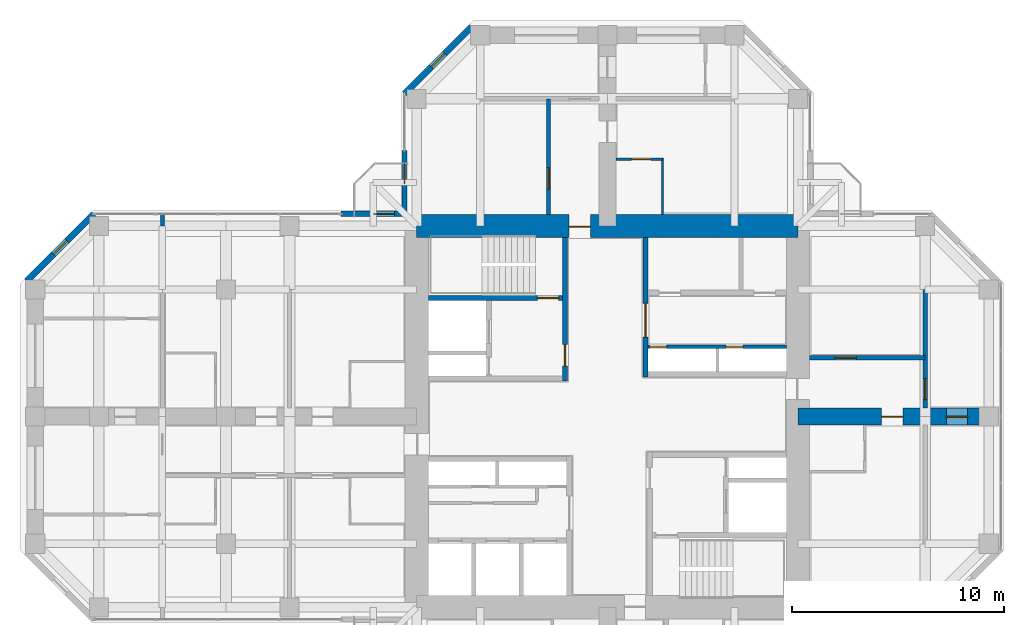
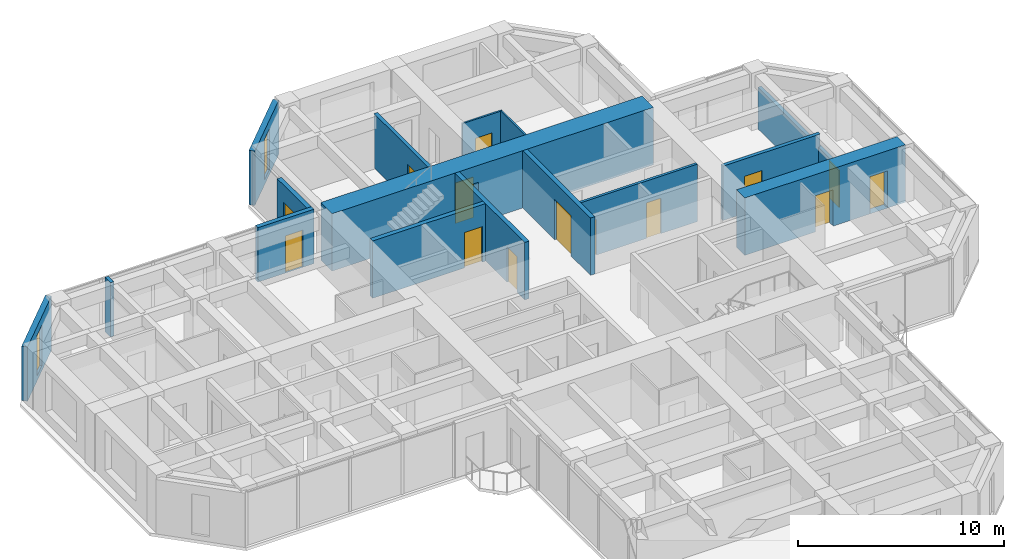
# One storey, part 11 of 13: 16 walls, 14 doors, 2 windows, 16 openings.
"""IFC4 building model written with IfcOpenShell, lengths in metres."""

import ifcopenshell
import ifcopenshell.guid

model = None  # the IFC model being written
_history = None  # IfcOwnerHistory: only IFC2X3 demands one
_inside = {}  # id of a spatial element -> (the spatial element, [elements in it])
_under = {}  # id of a project, library or spatial element -> (it, [spatial elements below it])
_declared = {}  # id of a project -> (the project, [libraries it declares])
_typed = {}  # id of a type object -> (the type object, [elements of that type])
_made_of = {}  # id of a material, layer set ... -> (it, [elements and type objects made of it])


def new_model(schema):
    """Start an empty IFC model of exactly this schema.

    Asked for "IFC4X3", IfcOpenShell would pick the latest addendum, in which some entities
    have other attributes; the version numbers below select the first issue.
    IFC2X3 requires an IfcOwnerHistory on every rooted entity: one is made here for all.
    """
    global model, _history
    if schema == "IFC4X3":
        model = ifcopenshell.file(schema_version=(4, 3, 0, 0))
    else:
        model = ifcopenshell.file(schema=schema)
    _inside.clear()
    _under.clear()
    _declared.clear()
    _typed.clear()
    _made_of.clear()
    _history = None
    if model.schema == "IFC2X3":
        org = make("IfcOrganization", Name="unknown")
        user = make(
            "IfcPersonAndOrganization",
            ThePerson=make("IfcPerson", FamilyName="unknown"),
            TheOrganization=org,
        )
        app = make(
            "IfcApplication",
            ApplicationDeveloper=org,
            Version="unknown",
            ApplicationFullName="unknown",
            ApplicationIdentifier="unknown",
        )
        _history = make(
            "IfcOwnerHistory",
            OwningUser=user,
            OwningApplication=app,
            ChangeAction="ADDED",
            CreationDate=0,
        )
    return model


def make(cls, **values):
    """One entity of the class cls with the attributes given. An attribute that is None is left unset."""
    return model.create_entity(
        cls, **{name: value for name, value in values.items() if value is not None}
    )


def rooted(cls, **values):
    """An entity with a GlobalId (a new one), such as an element, a storey or a relation."""
    return make(cls, GlobalId=ifcopenshell.guid.new(), OwnerHistory=_history, **values)


def si_unit(unit_type, name, prefix=None):
    """IfcSIUnit, for example si_unit("LENGTHUNIT", "METRE", prefix="MILLI")."""
    return make("IfcSIUnit", UnitType=unit_type, Prefix=prefix, Name=name)


def assignment(units):
    """IfcUnitAssignment: the units of a project."""
    return None if units is None else make("IfcUnitAssignment", Units=units)


def point(xyz):
    """IfcCartesianPoint."""
    return None if xyz is None else make("IfcCartesianPoint", Coordinates=xyz)


def direction(xyz):
    """IfcDirection."""
    return None if xyz is None else make("IfcDirection", DirectionRatios=xyz)


def frame(location, z_axis=None, x_axis=None):
    """IfcAxis2Placement3D, a coordinate frame: its origin and axes. An axis left out is left unset."""
    return make(
        "IfcAxis2Placement3D",
        Location=point(location),
        Axis=direction(z_axis),
        RefDirection=direction(x_axis),
    )


def frame_2d(location, x_axis=None):
    """IfcAxis2Placement2D, a coordinate frame in the plane: its origin and x axis."""
    return make(
        "IfcAxis2Placement2D", Location=point(location), RefDirection=direction(x_axis)
    )


def origin():
    """The frame at (0, 0, 0) with its axes left unset."""
    return frame((0.0, 0.0, 0.0))


def place(relative_to, where):
    """IfcLocalPlacement: puts the frame where relative to a parent placement (None: the world)."""
    return make(
        "IfcLocalPlacement", PlacementRelTo=relative_to, RelativePlacement=where
    )


def context(
    kind, dimensions, precision=None, world=None, true_north=None, identifier=None
):
    """IfcGeometricRepresentationContext, for example the 3D "Model" context."""
    return make(
        "IfcGeometricRepresentationContext",
        ContextIdentifier=identifier,
        ContextType=kind,
        CoordinateSpaceDimension=dimensions,
        Precision=precision,
        WorldCoordinateSystem=world,
        TrueNorth=true_north,
    )


def subcontext(parent, identifier, kind, view, scale=None):
    """IfcGeometricRepresentationSubContext, for example "Body" below "Model"."""
    return make(
        "IfcGeometricRepresentationSubContext",
        ContextIdentifier=identifier,
        ContextType=kind,
        ParentContext=parent,
        TargetScale=scale,
        TargetView=view,
    )


def project(units=None, contexts=None):
    """IfcProject with its units and contexts."""
    return rooted(
        "IfcProject",
        Name="project",
        RepresentationContexts=contexts,
        UnitsInContext=assignment(units),
    )


def spatial(cls, under=None, at=None, **own):
    """A site, building, storey or space (cls), placed at a placement, below another one or the project."""
    s = rooted(cls, ObjectPlacement=at, **own)
    if under is not None:
        _under.setdefault(under.id(), (under, []))[1].append(s)
    return s


def profile(cls, at=None, kind="AREA", **sizes):
    """A parametric profile (cls). Its sizes go by their IFC names, for example OverallWidth=200.0."""
    return make(cls, ProfileType=kind, Position=at, **sizes)


def rectangle(**sizes):
    """IfcRectangleProfileDef."""
    return profile("IfcRectangleProfileDef", **sizes)


def hollow_rectangle(**sizes):
    """IfcRectangleHollowProfileDef."""
    return profile("IfcRectangleHollowProfileDef", **sizes)


def extrude(swept, where, along, depth):
    """IfcExtrudedAreaSolid: the profile swept, set in the frame where, extruded along a direction by depth."""
    return make(
        "IfcExtrudedAreaSolid",
        SweptArea=swept,
        Position=where,
        ExtrudedDirection=direction(along),
        Depth=depth,
    )


def shape(context_of_items, identifier, shape_type, items):
    """IfcShapeRepresentation: the items that make up one representation, for example the "Body"."""
    return make(
        "IfcShapeRepresentation",
        ContextOfItems=context_of_items,
        RepresentationIdentifier=identifier,
        RepresentationType=shape_type,
        Items=items,
    )


def material(Name=None, Category=None):
    """IfcMaterial."""
    return make("IfcMaterial", Name=Name, Category=Category)


def layer(
    of_material, thickness, ventilated=None, Name=None, Category=None, Priority=None
):
    """IfcMaterialLayer: one layer of a wall or slab, of a material (None: an air gap)."""
    return make(
        "IfcMaterialLayer",
        Material=of_material,
        LayerThickness=thickness,
        IsVentilated=ventilated,
        Name=Name,
        Category=Category,
        Priority=Priority,
    )


def layer_set(layers, Name=None):
    """IfcMaterialLayerSet."""
    return make("IfcMaterialLayerSet", MaterialLayers=layers, LayerSetName=Name)


def constituent(of_material, Name=None, Category=None, fraction=None):
    """IfcMaterialConstituent: one of the materials an element consists of."""
    return make(
        "IfcMaterialConstituent",
        Name=Name,
        Material=of_material,
        Fraction=fraction,
        Category=Category,
    )


def constituent_set(constituents=None, Name=None):
    """IfcMaterialConstituentSet."""
    return make(
        "IfcMaterialConstituentSet", Name=Name, MaterialConstituents=constituents
    )


def made_of(thing, what):
    """Note that an element or type object is made of a material, layer set ...; save() writes the relation."""
    if what is not None:
        _made_of.setdefault(what.id(), (what, []))[1].append(thing)
    return thing


def type_object(cls, material=None, **own):
    """A type object (cls), such as IfcWallType, which elements share."""
    return made_of(rooted(cls, **own), material)


def element(
    cls,
    number,
    at=None,
    inside=None,
    cuts=None,
    type_object=None,
    material=None,
    context=None,
    identifier="Body",
    shape_type=None,
    held_by="IfcProductDefinitionShape",
    body=None,
    shapes=None,
    **own,
):
    """One element of the class cls, such as IfcWall. Its Tag is "e" and its number.

    at: its placement. inside: the storey or other place that contains it. cuts: it is an
    opening in that element (IfcRelVoidsElement). A single representation is given by context,
    identifier, shape_type and body (its items); several are given by shapes. held_by: the class
    of the entity that holds the representations. save() writes the other relations.
    """
    e = rooted(cls, Tag="e%d" % number, ObjectPlacement=at, **own)
    if body is not None:
        shapes = [shape(context, identifier, shape_type, body)]
    if shapes is not None:
        e.Representation = make(held_by, Representations=shapes)
    if inside is not None:
        _inside.setdefault(inside.id(), (inside, []))[1].append(e)
    if cuts is not None:
        rooted(
            "IfcRelVoidsElement", RelatingBuildingElement=cuts, RelatedOpeningElement=e
        )
    if type_object is not None:
        _typed.setdefault(type_object.id(), (type_object, []))[1].append(e)
    return made_of(e, material)


def fill(opening, filler):
    """IfcRelFillsElement: the door or window that sits in an opening."""
    return rooted(
        "IfcRelFillsElement",
        RelatingOpeningElement=opening,
        RelatedBuildingElement=filler,
    )


def aggregate(whole, parts):
    """IfcRelAggregates: a whole, such as a stair, and the parts it consists of."""
    return rooted("IfcRelAggregates", RelatingObject=whole, RelatedObjects=parts)


def save(model, path):
    """Write the relations noted so far, then the file.

    IfcRelAggregates (storeys below a building ...), IfcRelContainedInSpatialStructure (elements
    in a storey), IfcRelDefinesByType, IfcRelAssociatesMaterial and IfcRelDeclares: one each for
    every whole, place, type object, material and project.
    """
    for whole, parts in _under.values():
        aggregate(whole, parts)
    for where, things in _inside.values():
        rooted(
            "IfcRelContainedInSpatialStructure",
            RelatedElements=things,
            RelatingStructure=where,
        )
    for kind, things in _typed.values():
        rooted("IfcRelDefinesByType", RelatedObjects=things, RelatingType=kind)
    for what, things in _made_of.values():
        rooted("IfcRelAssociatesMaterial", RelatedObjects=things, RelatingMaterial=what)
    for by, libraries in _declared.values():
        rooted("IfcRelDeclares", RelatingContext=by, RelatedDefinitions=libraries)
    model.write(path)


model = new_model("IFC4")

# Units and contexts
model_context = context("Model", 3, precision=1e-05, world=origin(), true_north=direction((0.0, 1.0)))
body_context = subcontext(model_context, "Body", "Model", "MODEL_VIEW")
ifc_project = project(units=[si_unit("LENGTHUNIT", "METRE"), si_unit("AREAUNIT", "SQUARE_METRE"), si_unit("VOLUMEUNIT", "CUBIC_METRE"), si_unit("PLANEANGLEUNIT", "RADIAN"), si_unit("MASSUNIT", "GRAM", prefix="KILO")], contexts=[model_context])

# Site, building, storey
site_placement = place(None, origin())
site = spatial("IfcSite", under=ifc_project, at=site_placement, CompositionType="ELEMENT")
building_placement = place(site_placement, origin())
building = spatial("IfcBuilding", under=site, at=building_placement, Name="Torre Cruceta", CompositionType="ELEMENT")
storey_placement = place(building_placement, frame((0.0, 0.0, 193.300048828125)))
storey = spatial("IfcBuildingStorey", under=building, at=storey_placement, Name="L48", CompositionType="ELEMENT", Elevation=193.300048828125)

# Wall
ifc_material_1 = material(Name="Water-resistant plasterboard on steel studs", Category="steel")
ifc_layer_1 = layer(ifc_material_1, 0.10009765625)
ifc_layer_set_1 = layer_set([ifc_layer_1], Name="Water-resistant plasterboard on steel studs")
wall_type_1 = type_object("IfcWallType", Name="BATHROOM WALL 100", PredefinedType="PARTITIONING", material=ifc_layer_set_1)
wall_1_placement = place(storey_placement, frame((2.60009765625, 9.550048828125, 0.0), z_axis=(0.0, 0.0, 1.0), x_axis=(0.0, 1.0, 0.0)))
element("IfcWall", 1, at=wall_1_placement, inside=storey, type_object=wall_type_1, Name="PT4 L48-N-U1RBB", PredefinedType="PARTITIONING", context=body_context, shape_type="SweptSolid", body=[
    extrude(rectangle(XDim=2.64990234375, YDim=0.10009765625, at=frame_2d((1.324951171875, 0.0))), origin(), (0.0, 0.0, 1.0), 3.219970703125),
])

# Wall, opening, door
wall_2_placement = place(storey_placement, frame((2.60009765625, 12.14990234375, 0.0), z_axis=(0.0, 0.0, 1.0), x_axis=(-1.0, 0.0, 0.0)))
wall_2 = element("IfcWall", 2, at=wall_2_placement, inside=storey, type_object=wall_type_1, Name="PT4 L48-N-U1RBS", PredefinedType="PARTITIONING", context=body_context, shape_type="SweptSolid", body=[
    extrude(rectangle(XDim=2.2001953125, YDim=0.10009765625, at=frame_2d((1.10009765625, 0.0))), origin(), (0.0, 0.0, 1.0), 3.219970703125),
])
opening_1_placement = place(wall_2_placement, frame((0.550048828125, 0.0, 0.0)))
opening_1 = element("IfcOpeningElement", 3, at=opening_1_placement, cuts=wall_2, Name="Opening D7", PredefinedType="OPENING", context=body_context, shape_type="SweptSolid", body=[
    extrude(rectangle(XDim=0.89990234375, YDim=2.10009765625, at=frame_2d((0.449951171875, 1.050048828125))), frame((0.0, 0.06005859375, 0.0), z_axis=(0.0, -1.0, 0.0), x_axis=(1.0, 0.0, 0.0)), (0.0, 0.0, 1.0), 0.1201171875),
])
ifc_material_2 = material(Name="Timber door", Category="wood")
door_type_1 = type_object("IfcDoorType", Name="BATHROOM DOOR 900X2100", OperationType="SINGLE_SWING_LEFT", PredefinedType="DOOR", material=ifc_material_2)
door_1_placement = place(opening_1_placement, origin())
door_1 = element("IfcDoor", 4, at=door_1_placement, inside=storey, type_object=door_type_1, Name="D7 L48-N-U1RBS-D1", OperationType="SINGLE_SWING_LEFT", OverallHeight=2.10009765625, OverallWidth=0.89990234375, PredefinedType="DOOR", context=body_context, shape_type="SweptSolid", body=[
    extrude(rectangle(XDim=0.89990234375, YDim=2.10009765625, at=frame_2d((0.449951171875, 1.050048828125))), frame((0.0, 0.02490234375, 0.0), z_axis=(0.0, -1.0, 0.0), x_axis=(1.0, 0.0, 0.0)), (0.0, 0.0, 1.0), 0.050048828125),
])
fill(opening_1, door_1)

ifc_material_3 = material(Name="Concrete G60 (fck 60 MPa)", Category="concrete")
ifc_layer_2 = layer(ifc_material_3, 0.25)
ifc_layer_set_2 = layer_set([ifc_layer_2], Name="Concrete G60 (fck 60 MPa)")
wall_type_2 = type_object("IfcWallType", Name="CORE INNER WALL 250 G60", PredefinedType="SHEAR", material=ifc_layer_set_2)
wall_3_placement = place(storey_placement, frame((1.800048828125, 1.875, 0.0), z_axis=(0.0, 0.0, 1.0), x_axis=(0.0, 1.0, 0.0)))
wall_3 = element("IfcWall", 5, at=wall_3_placement, inside=storey, type_object=wall_type_2, Name="CW4 L48 NE-CU", PredefinedType="SHEAR", context=body_context, shape_type="SweptSolid", body=[
    extrude(rectangle(XDim=6.574951171875, YDim=0.25, at=frame_2d((3.28759765625, 0.0))), origin(), (0.0, 0.0, 1.0), 3.39990234375),
])
opening_2_placement = place(wall_3_placement, frame((1.875, 0.0, 0.0)))
opening_2 = element("IfcOpeningElement", 6, at=opening_2_placement, cuts=wall_3, Name="Opening D15", PredefinedType="OPENING", context=body_context, shape_type="SweptSolid", body=[
    extrude(rectangle(XDim=1.60009765625, YDim=2.39990234375, at=frame_2d((0.800048828125, 1.199951171875))), frame((0.0, 0.135009765625, 0.0), z_axis=(0.0, -1.0, 0.0), x_axis=(1.0, 0.0, 0.0)), (0.0, 0.0, 1.0), 0.27001953125),
])
ifc_material_4 = material(Name="Steel DX51D", Category="steel")
ifc_constituent_1 = constituent(ifc_material_4, Name="Leaf and frame")
ifc_material_5 = material(Name="Polyester powder coating", Category="paint")
ifc_constituent_2 = constituent(ifc_material_5, Name="Finish")
ifc_constituent_set_1 = constituent_set(constituents=[ifc_constituent_1, ifc_constituent_2], Name="Steel fire door")
door_type_2 = type_object("IfcDoorType", Name="CORE ROOM DOUBLE DOOR 1600X2400", OperationType="DOUBLE_DOOR_SINGLE_SWING", PredefinedType="DOOR", material=ifc_constituent_set_1)
door_2_placement = place(opening_2_placement, frame((1.60009765625, 0.0, 0.0), z_axis=(0.0, 0.0, 1.0), x_axis=(-1.0, 0.0, 0.0)))
door_2 = element("IfcDoor", 7, at=door_2_placement, inside=storey, type_object=door_type_2, Name="D15 L48 NE-LOBBY", OperationType="DOUBLE_DOOR_SINGLE_SWING", OverallHeight=2.39990234375, OverallWidth=1.60009765625, PredefinedType="DOOR", context=body_context, shape_type="SweptSolid", body=[
    extrude(rectangle(XDim=1.60009765625, YDim=2.39990234375, at=frame_2d((0.800048828125, 1.199951171875))), frame((0.0, 0.025146484375, 0.0), z_axis=(0.0, -1.0, 0.0), x_axis=(1.0, 0.0, 0.0)), (0.0, 0.0, 1.0), 0.050048828125),
])
fill(opening_2, door_2)

wall_4_placement = place(storey_placement, frame((-2.0, 1.675048828125, 0.0), z_axis=(0.0, 0.0, 1.0), x_axis=(0.0, 1.0, 0.0)))
wall_4 = element("IfcWall", 8, at=wall_4_placement, inside=storey, type_object=wall_type_2, Name="CW4 L48 NW-CU", PredefinedType="SHEAR", context=body_context, shape_type="SweptSolid", body=[
    extrude(rectangle(XDim=6.77490234375, YDim=0.25, at=frame_2d((3.387451171875, 0.0))), origin(), (0.0, 0.0, 1.0), 3.39990234375),
])
opening_3_placement = place(wall_4_placement, frame((0.72509765625, 0.0, 0.0)))
opening_3 = element("IfcOpeningElement", 9, at=opening_3_placement, cuts=wall_4, Name="Opening D3", PredefinedType="OPENING", context=body_context, shape_type="SweptSolid", body=[
    extrude(rectangle(XDim=1.0, YDim=2.10009765625, at=frame_2d((0.5, 1.050048828125))), frame((0.0, 0.135009765625, 0.0), z_axis=(0.0, -1.0, 0.0), x_axis=(1.0, 0.0, 0.0)), (0.0, 0.0, 1.0), 0.27001953125),
])
ifc_material_6 = material(Name="Steel DX51D", Category="steel")
ifc_constituent_3 = constituent(ifc_material_6, Name="Leaf and frame")
ifc_material_7 = material(Name="Polyester powder coating", Category="paint")
ifc_constituent_4 = constituent(ifc_material_7, Name="Finish")
ifc_constituent_set_2 = constituent_set(constituents=[ifc_constituent_3, ifc_constituent_4], Name="Steel fire door")
door_type_3 = type_object("IfcDoorType", Name="FIRE DOOR 1000X2100", OperationType="SINGLE_SWING_LEFT", PredefinedType="DOOR", material=ifc_constituent_set_2)
door_3_placement = place(opening_3_placement, origin())
door_3 = element("IfcDoor", 10, at=door_3_placement, inside=storey, type_object=door_type_3, Name="D3 L48 NW-LOBBY", OperationType="SINGLE_SWING_LEFT", OverallHeight=2.10009765625, OverallWidth=1.0, PredefinedType="DOOR", context=body_context, shape_type="SweptSolid", body=[
    extrude(rectangle(XDim=1.0, YDim=2.10009765625, at=frame_2d((0.5, 1.050048828125))), frame((0.0, 0.02490234375, 0.0), z_axis=(0.0, -1.0, 0.0), x_axis=(1.0, 0.0, 0.0)), (0.0, 0.0, 1.0), 0.050048828125),
])
fill(opening_3, door_3)

wall_5_placement = place(storey_placement, frame((-2.125, 5.60009765625, 0.0), z_axis=(0.0, 0.0, 1.0), x_axis=(-1.0, 0.0, 0.0)))
wall_5 = element("IfcWall", 11, at=wall_5_placement, inside=storey, type_object=wall_type_2, Name="CW4 L48 NW-SV", PredefinedType="SHEAR", context=body_context, shape_type="SweptSolid", body=[
    extrude(rectangle(XDim=6.324951171875, YDim=0.25, at=frame_2d((3.16259765625, 0.0))), origin(), (0.0, 0.0, 1.0), 3.39990234375),
])
opening_4_placement = place(wall_5_placement, frame((0.175048828125, 0.0, 0.0)))
opening_4 = element("IfcOpeningElement", 12, at=opening_4_placement, cuts=wall_5, Name="Opening D3", PredefinedType="OPENING", context=body_context, shape_type="SweptSolid", body=[
    extrude(rectangle(XDim=1.0, YDim=2.10009765625, at=frame_2d((0.5, 1.050048828125))), frame((0.0, 0.135009765625, 0.0), z_axis=(0.0, -1.0, 0.0), x_axis=(1.0, 0.0, 0.0)), (0.0, 0.0, 1.0), 0.27001953125),
])
door_4_placement = place(opening_4_placement, frame((1.0, 0.0, 0.0), z_axis=(0.0, 0.0, 1.0), x_axis=(-1.0, 0.0, 0.0)))
door_4 = element("IfcDoor", 13, at=door_4_placement, inside=storey, type_object=door_type_3, Name="D3 L48 NW-STAIR", OperationType="SINGLE_SWING_RIGHT", OverallHeight=2.10009765625, OverallWidth=1.0, PredefinedType="DOOR", context=body_context, shape_type="SweptSolid", body=[
    extrude(rectangle(XDim=1.0, YDim=2.10009765625, at=frame_2d((0.5, 1.050048828125))), frame((0.0, 0.025146484375, 0.0), z_axis=(0.0, -1.0, 0.0), x_axis=(1.0, 0.0, 0.0)), (0.0, 0.0, 1.0), 0.050048828125),
])
fill(opening_4, door_4)

ifc_material_8 = material(Name="Concrete G60 (fck 60 MPa)", Category="concrete")
ifc_layer_3 = layer(ifc_material_8, 1.10009765625)
ifc_layer_set_3 = layer_set([ifc_layer_3], Name="Concrete G60 (fck 60 MPa)")
wall_type_3 = type_object("IfcWallType", Name="CORE WALL 1100 G60", PredefinedType="SHEAR", material=ifc_layer_set_3)
wall_6_placement = place(storey_placement, frame((9.0, 9.0, 0.0), z_axis=(0.0, 0.0, 1.0), x_axis=(-1.0, 0.0, 0.0)))
wall_6 = element("IfcWall", 14, at=wall_6_placement, inside=storey, type_object=wall_type_3, Name="CW2 L48 CW-N", PredefinedType="SHEAR", context=body_context, shape_type="SweptSolid", body=[
    extrude(rectangle(XDim=18.0, YDim=1.10009765625, at=frame_2d((9.0, 0.0))), origin(), (0.0, 0.0, 1.0), 3.39990234375),
])
opening_5_placement = place(wall_6_placement, frame((9.800048828125, 0.0, 0.0)))
opening_5 = element("IfcOpeningElement", 15, at=opening_5_placement, cuts=wall_6, Name="Opening D4", PredefinedType="OPENING", context=body_context, shape_type="SweptSolid", body=[
    extrude(rectangle(XDim=1.0, YDim=2.39990234375, at=frame_2d((0.5, 1.199951171875))), frame((0.0, 0.56005859375, 0.0), z_axis=(0.0, -1.0, 0.0), x_axis=(1.0, 0.0, 0.0)), (0.0, 0.0, 1.0), 1.1201171875),
])
ifc_material_9 = material(Name="Steel DX51D", Category="steel")
ifc_constituent_5 = constituent(ifc_material_9, Name="Leaf and frame")
ifc_material_10 = material(Name="Polyester powder coating", Category="paint")
ifc_constituent_6 = constituent(ifc_material_10, Name="Finish")
ifc_constituent_set_3 = constituent_set(constituents=[ifc_constituent_5, ifc_constituent_6], Name="Steel fire door")
door_type_4 = type_object("IfcDoorType", Name="CORE ARM DOOR 1000X2400", OperationType="SINGLE_SWING_RIGHT", PredefinedType="DOOR", material=ifc_constituent_set_3)
door_5_placement = place(opening_5_placement, origin())
door_5 = element("IfcDoor", 16, at=door_5_placement, inside=storey, type_object=door_type_4, Name="D4 L48 CW-N", OperationType="SINGLE_SWING_RIGHT", OverallHeight=2.39990234375, OverallWidth=1.0, PredefinedType="DOOR", context=body_context, shape_type="SweptSolid", body=[
    extrude(rectangle(XDim=1.0, YDim=2.39990234375, at=frame_2d((0.5, 1.199951171875))), frame((0.0, 0.05517578125, 0.0), z_axis=(0.0, -1.0, 0.0), x_axis=(1.0, 0.0, 0.0)), (0.0, 0.0, 1.0), 0.050048828125),
])
fill(opening_5, door_5)

ifc_material_11 = material(Name="Concrete G25 (fck 25 MPa)", Category="concrete")
ifc_layer_4 = layer(ifc_material_11, 0.199951171875)
ifc_layer_set_4 = layer_set([ifc_layer_4], Name="Concrete G25 (fck 25 MPa)")
wall_type_4 = type_object("IfcWallType", Name="CORRIDOR WALL 200", PredefinedType="SOLIDWALL", material=ifc_layer_set_4)
wall_7_placement = place(storey_placement, frame((-2.77490234375, 9.550048828125, 0.0), z_axis=(0.0, 0.0, 1.0), x_axis=(0.0, 1.0, 0.0)))
wall_7 = element("IfcWall", 17, at=wall_7_placement, inside=storey, type_object=wall_type_4, Name="PT3 L48-N-CL", PredefinedType="SOLIDWALL", context=body_context, shape_type="SweptSolid", body=[
    extrude(rectangle(XDim=5.449951171875, YDim=0.199951171875, at=frame_2d((2.72509765625, 0.0))), origin(), (0.0, 0.0, 1.0), 3.219970703125),
])
opening_6_placement = place(wall_7_placement, frame((1.199951171875, 0.0, 0.0)))
opening_6 = element("IfcOpeningElement", 18, at=opening_6_placement, cuts=wall_7, Name="Opening D14", PredefinedType="OPENING", context=body_context, shape_type="SweptSolid", body=[
    extrude(rectangle(XDim=1.0, YDim=2.199951171875, at=frame_2d((0.5, 1.10009765625))), frame((0.0, 0.10986328125, 0.0), z_axis=(0.0, -1.0, 0.0), x_axis=(1.0, 0.0, 0.0)), (0.0, 0.0, 1.0), 0.219970703125),
])
ifc_material_12 = material(Name="Steel DX51D", Category="steel")
ifc_constituent_7 = constituent(ifc_material_12, Name="Leaf and frame")
ifc_material_13 = material(Name="Polyester powder coating", Category="paint")
ifc_constituent_8 = constituent(ifc_material_13, Name="Finish")
ifc_material_14 = material(Name="Fire-resisting glass", Category="glass")
ifc_constituent_9 = constituent(ifc_material_14, Name="Vision panel")
ifc_constituent_set_4 = constituent_set(constituents=[ifc_constituent_7, ifc_constituent_8, ifc_constituent_9], Name="Steel fire door with vision panel")
door_type_5 = type_object("IfcDoorType", Name="FIRE DOOR VISION PANEL 1000X2200", OperationType="SINGLE_SWING_RIGHT", PredefinedType="DOOR", material=ifc_constituent_set_4)
door_6_placement = place(opening_6_placement, origin())
door_6 = element("IfcDoor", 19, at=door_6_placement, inside=storey, type_object=door_type_5, Name="D14 L48-N-CL-D1", OperationType="SINGLE_SWING_LEFT", OverallHeight=2.199951171875, OverallWidth=1.0, PredefinedType="DOOR", context=body_context, shape_type="SweptSolid", body=[
    extrude(rectangle(XDim=1.0, YDim=2.199951171875, at=frame_2d((0.5, 1.10009765625))), frame((0.0, 0.02490234375, 0.0), z_axis=(0.0, -1.0, 0.0), x_axis=(1.0, 0.0, 0.0)), (0.0, 0.0, 1.0), 0.050048828125),
])
fill(opening_6, door_6)

wall_8_placement = place(storey_placement, frame((9.550048828125, 2.77490234375, 0.0), z_axis=(0.0, 0.0, 1.0), x_axis=(1.0, 0.0, 0.0)))
wall_8 = element("IfcWall", 20, at=wall_8_placement, inside=storey, type_object=wall_type_4, Name="PT3 L48-E-CL", PredefinedType="SOLIDWALL", context=body_context, shape_type="SweptSolid", body=[
    extrude(rectangle(XDim=5.449951171875, YDim=0.199951171875, at=frame_2d((2.72509765625, 0.0))), origin(), (0.0, 0.0, 1.0), 3.219970703125),
])
opening_7_placement = place(wall_8_placement, frame((1.199951171875, 0.0, 0.0)))
opening_7 = element("IfcOpeningElement", 21, at=opening_7_placement, cuts=wall_8, Name="Opening D14", PredefinedType="OPENING", context=body_context, shape_type="SweptSolid", body=[
    extrude(rectangle(XDim=1.0, YDim=2.199951171875, at=frame_2d((0.5, 1.10009765625))), frame((0.0, 0.10986328125, 0.0), z_axis=(0.0, -1.0, 0.0), x_axis=(1.0, 0.0, 0.0)), (0.0, 0.0, 1.0), 0.219970703125),
])
door_7_placement = place(opening_7_placement, origin())
door_7 = element("IfcDoor", 22, at=door_7_placement, inside=storey, type_object=door_type_5, Name="D14 L48-E-CL-D1", OperationType="SINGLE_SWING_LEFT", OverallHeight=2.199951171875, OverallWidth=1.0, PredefinedType="DOOR", context=body_context, shape_type="SweptSolid", body=[
    extrude(rectangle(XDim=1.0, YDim=2.199951171875, at=frame_2d((0.5, 1.10009765625))), frame((0.0, 0.02490234375, 0.0), z_axis=(0.0, -1.0, 0.0), x_axis=(1.0, 0.0, 0.0)), (0.0, 0.0, 1.0), 0.050048828125),
])
fill(opening_7, door_7)

# Wall, opening, window
ifc_material_15 = material(Name="Concrete G30 (fck 30 MPa)", Category="concrete")
ifc_layer_5 = layer(ifc_material_15, 0.300048828125)
ifc_layer_set_5 = layer_set([ifc_layer_5], Name="Concrete G30 (fck 30 MPa)")
wall_type_5 = type_object("IfcWallType", Name="EXPOSED CONCRETE FACADE WALL 300", PredefinedType="SOLIDWALL", material=ifc_layer_set_5)
wall_9_placement = place(storey_placement, frame((-6.406005859375, 18.39990234375, 0.0), z_axis=(0.0, 0.0, 1.0), x_axis=(-0.707134062067, -0.707079499254, 0.0)))
wall_9 = element("IfcWall", 23, at=wall_9_placement, inside=storey, type_object=wall_type_5, Name="EW1 facade wall L48 N chamfer 08", PredefinedType="SOLIDWALL", context=body_context, shape_type="SweptSolid", body=[
    extrude(rectangle(XDim=4.474609375, YDim=0.300048828125, at=frame_2d((2.2373046875, 0.0))), origin(), (0.0, 0.0, 1.0), 3.219970703125),
])
opening_8_placement = place(wall_9_placement, frame((1.787109375, 0.0, 0.300048828125)))
opening_8 = element("IfcOpeningElement", 24, at=opening_8_placement, cuts=wall_9, Name="Opening WN5", PredefinedType="OPENING", context=body_context, shape_type="SweptSolid", body=[
    extrude(rectangle(XDim=0.89990234375, YDim=2.39990234375, at=frame_2d((0.449951171875, 1.199951171875))), frame((0.0, 0.159912109375, 0.0), z_axis=(0.0, -1.0, 0.0), x_axis=(1.0, 0.0, 0.0)), (0.0, 0.0, 1.0), 0.320068359375),
])
ifc_material_16 = material(Name="Aluminium window frame", Category="aluminium")
ifc_constituent_10 = constituent(ifc_material_16, Name="Frame")
ifc_material_17 = material(Name="Laminated insulating glass unit, low-iron clear", Category="glass")
ifc_constituent_11 = constituent(ifc_material_17, Name="Glazing")
ifc_constituent_set_5 = constituent_set(constituents=[ifc_constituent_10, ifc_constituent_11], Name="Aluminium window")
window_type = type_object("IfcWindowType", Name="CHAMFER SLOT WINDOW 900X2400", PartitioningType="SINGLE_PANEL", PredefinedType="WINDOW", material=ifc_constituent_set_5)
window_1_placement = place(opening_8_placement, origin())
window_1 = element("IfcWindow", 25, at=window_1_placement, inside=storey, type_object=window_type, Name="WN5 L48 N 1", OverallHeight=2.39990234375, OverallWidth=0.89990234375, PartitioningType="SINGLE_PANEL", PredefinedType="WINDOW", context=body_context, shape_type="SweptSolid", body=[
    extrude(hollow_rectangle(XDim=0.89990234375, YDim=2.39990234375, WallThickness=0.06005859375, at=frame_2d((0.449951171875, 1.199951171875))), frame((0.0, 0.030029296875, 0.0), z_axis=(0.0, -1.0, 0.0), x_axis=(1.0, 0.0, 0.0)), (0.0, 0.0, 1.0), 0.06005859375),
    extrude(rectangle(XDim=0.77880859375, YDim=2.27880859375, at=frame_2d((0.449951171875, 1.199951171875))), frame((0.0, 0.030029296875, 0.0), z_axis=(0.0, -1.0, 0.0), x_axis=(1.0, 0.0, 0.0)), (0.0, 0.0, 1.0), 0.06005859375),
])
fill(opening_8, window_1)

wall_10_placement = place(storey_placement, frame((-24.236083984375, 9.570068359375, 0.0), z_axis=(0.0, 0.0, 1.0), x_axis=(-0.707079499254, -0.707134062067, 0.0)))
wall_10 = element("IfcWall", 26, at=wall_10_placement, inside=storey, type_object=wall_type_5, Name="EW1 facade wall L48 W chamfer 11", PredefinedType="SOLIDWALL", context=body_context, shape_type="SweptSolid", body=[
    extrude(rectangle(XDim=4.474609375, YDim=0.300048828125, at=frame_2d((2.2373046875, 0.0))), origin(), (0.0, 0.0, 1.0), 3.219970703125),
])
opening_9_placement = place(wall_10_placement, frame((1.787109375, 0.0, 0.300048828125)))
opening_9 = element("IfcOpeningElement", 27, at=opening_9_placement, cuts=wall_10, Name="Opening WN5", PredefinedType="OPENING", context=body_context, shape_type="SweptSolid", body=[
    extrude(rectangle(XDim=0.89990234375, YDim=2.39990234375, at=frame_2d((0.449951171875, 1.199951171875))), frame((0.0, 0.159912109375, 0.0), z_axis=(0.0, -1.0, 0.0), x_axis=(1.0, 0.0, 0.0)), (0.0, 0.0, 1.0), 0.320068359375),
])
window_2_placement = place(opening_9_placement, origin())
window_2 = element("IfcWindow", 28, at=window_2_placement, inside=storey, type_object=window_type, Name="WN5 L48 W 1", OverallHeight=2.39990234375, OverallWidth=0.89990234375, PartitioningType="SINGLE_PANEL", PredefinedType="WINDOW", context=body_context, shape_type="SweptSolid", body=[
    extrude(hollow_rectangle(XDim=0.89990234375, YDim=2.39990234375, WallThickness=0.06005859375, at=frame_2d((0.449951171875, 1.199951171875))), frame((0.0, 0.030029296875, 0.0), z_axis=(0.0, -1.0, 0.0), x_axis=(1.0, 0.0, 0.0)), (0.0, 0.0, 1.0), 0.06005859375),
    extrude(rectangle(XDim=0.77880859375, YDim=2.27880859375, at=frame_2d((0.449951171875, 1.199951171875))), frame((0.0, 0.030029296875, 0.0), z_axis=(0.0, -1.0, 0.0), x_axis=(1.0, 0.0, 0.0)), (0.0, 0.0, 1.0), 0.06005859375),
])
fill(opening_9, window_2)

# Wall, openings, doors
ifc_material_18 = material(Name="Concrete block masonry", Category="masonry")
ifc_layer_6 = layer(ifc_material_18, 0.14990234375)
ifc_layer_set_6 = layer_set([ifc_layer_6], Name="Concrete block masonry")
wall_type_6 = type_object("IfcWallType", Name="RISER WALL 150", PredefinedType="PARTITIONING", material=ifc_layer_set_6)
wall_11_placement = place(storey_placement, frame((1.925048828125, 3.300048828125, 0.0), z_axis=(0.0, 0.0, 1.0), x_axis=(1.0, 0.0, 0.0)))
wall_11 = element("IfcWall", 29, at=wall_11_placement, inside=storey, type_object=wall_type_6, Name="SW7 L48 NE-RV", PredefinedType="PARTITIONING", context=body_context, shape_type="SweptSolid", body=[
    extrude(rectangle(XDim=6.52490234375, YDim=0.14990234375, at=frame_2d((3.262451171875, 0.0))), origin(), (0.0, 0.0, 1.0), 3.39990234375),
])
opening_10_placement = place(wall_11_placement, frame((0.074951171875, 0.0, 0.0)))
opening_10 = element("IfcOpeningElement", 30, at=opening_10_placement, cuts=wall_11, Name="Opening D5", PredefinedType="OPENING", context=body_context, shape_type="SweptSolid", body=[
    extrude(rectangle(XDim=0.800048828125, YDim=2.10009765625, at=frame_2d((0.39990234375, 1.050048828125))), frame((0.0, 0.0849609375, 0.0), z_axis=(0.0, -1.0, 0.0), x_axis=(1.0, 0.0, 0.0)), (0.0, 0.0, 1.0), 0.169921875),
])
opening_11_placement = place(wall_11_placement, frame((3.675048828125, 0.0, 0.0)))
opening_11 = element("IfcOpeningElement", 31, at=opening_11_placement, cuts=wall_11, Name="Opening D5", PredefinedType="OPENING", context=body_context, shape_type="SweptSolid", body=[
    extrude(rectangle(XDim=0.800048828125, YDim=2.10009765625, at=frame_2d((0.39990234375, 1.050048828125))), frame((0.0, 0.0849609375, 0.0), z_axis=(0.0, -1.0, 0.0), x_axis=(1.0, 0.0, 0.0)), (0.0, 0.0, 1.0), 0.169921875),
])
ifc_material_19 = material(Name="Steel DX51D", Category="steel")
ifc_constituent_12 = constituent(ifc_material_19, Name="Leaf and frame")
ifc_material_20 = material(Name="Polyester powder coating", Category="paint")
ifc_constituent_13 = constituent(ifc_material_20, Name="Finish")
ifc_constituent_set_6 = constituent_set(constituents=[ifc_constituent_12, ifc_constituent_13], Name="Steel fire door")
door_type_6 = type_object("IfcDoorType", Name="RISER ACCESS DOOR 800X2100", OperationType="SINGLE_SWING_LEFT", PredefinedType="DOOR", material=ifc_constituent_set_6)
door_8_placement = place(opening_10_placement, frame((0.800048828125, 0.0, 0.0), z_axis=(0.0, 0.0, 1.0), x_axis=(-1.0, 0.0, 0.0)))
door_8 = element("IfcDoor", 32, at=door_8_placement, inside=storey, type_object=door_type_6, Name="D5 L48 NE-RISER1", OperationType="SINGLE_SWING_RIGHT", OverallHeight=2.10009765625, OverallWidth=0.800048828125, PredefinedType="DOOR", context=body_context, shape_type="SweptSolid", body=[
    extrude(rectangle(XDim=0.800048828125, YDim=2.10009765625, at=frame_2d((0.400146484375, 1.050048828125))), frame((0.0, 0.025146484375, 0.0), z_axis=(0.0, -1.0, 0.0), x_axis=(1.0, 0.0, 0.0)), (0.0, 0.0, 1.0), 0.050048828125),
])
fill(opening_10, door_8)
door_9_placement = place(opening_11_placement, frame((0.800048828125, 0.0, 0.0), z_axis=(0.0, 0.0, 1.0), x_axis=(-1.0, 0.0, 0.0)))
door_9 = element("IfcDoor", 33, at=door_9_placement, inside=storey, type_object=door_type_6, Name="D5 L48 NE-RISER2", OperationType="SINGLE_SWING_RIGHT", OverallHeight=2.10009765625, OverallWidth=0.800048828125, PredefinedType="DOOR", context=body_context, shape_type="SweptSolid", body=[
    extrude(rectangle(XDim=0.800048828125, YDim=2.10009765625, at=frame_2d((0.400146484375, 1.050048828125))), frame((0.0, 0.025146484375, 0.0), z_axis=(0.0, -1.0, 0.0), x_axis=(1.0, 0.0, 0.0)), (0.0, 0.0, 1.0), 0.050048828125),
])
fill(opening_11, door_9)

ifc_material_21 = material(Name="Concrete G60 (fck 60 MPa)", Category="concrete")
ifc_layer_7 = layer(ifc_material_21, 0.800048828125)
ifc_layer_set_7 = layer_set([ifc_layer_7], Name="Concrete G60 (fck 60 MPa)")
wall_type_7 = type_object("IfcWallType", Name="SPINE WALL 800 G60", PredefinedType="SHEAR", material=ifc_layer_set_7)
wall_12_placement = place(storey_placement, frame((9.0, 0.0, 0.0), z_axis=(0.0, 0.0, 1.0), x_axis=(1.0, 0.0, 0.0)))
wall_12 = element("IfcWall", 34, at=wall_12_placement, inside=storey, type_object=wall_type_7, Name="SW4 spine wall L48 E", PredefinedType="SHEAR", context=body_context, shape_type="SweptSolid", body=[
    extrude(rectangle(XDim=9.0, YDim=0.800048828125, at=frame_2d((4.5, 0.0))), origin(), (0.0, 0.0, 1.0), 3.39990234375),
])
opening_12_placement = place(wall_12_placement, frame((3.949951171875, 0.0, 0.0)))
opening_12 = element("IfcOpeningElement", 35, at=opening_12_placement, cuts=wall_12, Name="Opening D6", PredefinedType="OPENING", context=body_context, shape_type="SweptSolid", body=[
    extrude(rectangle(XDim=1.0, YDim=2.14990234375, at=frame_2d((0.5, 1.074951171875))), frame((0.0, 0.409912109375, 0.0), z_axis=(0.0, -1.0, 0.0), x_axis=(1.0, 0.0, 0.0)), (0.0, 0.0, 1.0), 0.820068359375),
])
opening_13_placement = place(wall_12_placement, frame((7.0, 0.0, 0.0)))
opening_13 = element("IfcOpeningElement", 36, at=opening_13_placement, cuts=wall_12, Name="Opening D14", PredefinedType="OPENING", context=body_context, shape_type="SweptSolid", body=[
    extrude(rectangle(XDim=1.0, YDim=2.199951171875, at=frame_2d((0.5, 1.10009765625))), frame((0.0, 0.409912109375, 0.0), z_axis=(0.0, -1.0, 0.0), x_axis=(1.0, 0.0, 0.0)), (0.0, 0.0, 1.0), 0.820068359375),
])
door_10_placement = place(opening_13_placement, origin())
door_10 = element("IfcDoor", 37, at=door_10_placement, inside=storey, type_object=door_type_5, Name="D14 L48-E-SP2", OperationType="SINGLE_SWING_LEFT", OverallHeight=2.199951171875, OverallWidth=1.0, PredefinedType="DOOR", context=body_context, shape_type="SweptSolid", body=[
    extrude(rectangle(XDim=1.0, YDim=2.199951171875, at=frame_2d((0.5, 1.10009765625))), frame((0.0, 0.02490234375, 0.0), z_axis=(0.0, -1.0, 0.0), x_axis=(1.0, 0.0, 0.0)), (0.0, 0.0, 1.0), 0.050048828125),
])
fill(opening_13, door_10)
ifc_material_22 = material(Name="Timber fire door", Category="wood")
door_type_7 = type_object("IfcDoorType", Name="UNIT ENTRANCE DOOR 1000X2150", OperationType="SINGLE_SWING_LEFT", PredefinedType="DOOR", material=ifc_material_22)
door_11_placement = place(opening_12_placement, frame((1.0, 0.0, 0.0), z_axis=(0.0, 0.0, 1.0), x_axis=(-1.0, 0.0, 0.0)))
door_11 = element("IfcDoor", 38, at=door_11_placement, inside=storey, type_object=door_type_7, Name="D6 L48-E-SP1", OperationType="SINGLE_SWING_RIGHT", OverallHeight=2.14990234375, OverallWidth=1.0, PredefinedType="DOOR", context=body_context, shape_type="SweptSolid", body=[
    extrude(rectangle(XDim=1.0, YDim=2.14990234375, at=frame_2d((0.5, 1.074951171875))), frame((0.0, 0.025146484375, 0.0), z_axis=(0.0, -1.0, 0.0), x_axis=(1.0, 0.0, 0.0)), (0.0, 0.0, 1.0), 0.050048828125),
])
fill(opening_12, door_11)

# Wall, opening, door
ifc_material_23 = material(Name="Concrete G25 (fck 25 MPa)", Category="concrete")
ifc_layer_8 = layer(ifc_material_23, 0.199951171875)
ifc_layer_set_8 = layer_set([ifc_layer_8], Name="Concrete G25 (fck 25 MPa)")
wall_type_8 = type_object("IfcWallType", Name="UNIT SEPARATING WALL 200", PredefinedType="SOLIDWALL", material=ifc_layer_set_8)
wall_13_placement = place(storey_placement, frame((15.0, 0.39990234375, 0.0), z_axis=(0.0, 0.0, 1.0), x_axis=(0.0, 1.0, 0.0)))
wall_13 = element("IfcWall", 39, at=wall_13_placement, inside=storey, type_object=wall_type_8, Name="PT2 L48-E-ENDb", PredefinedType="SOLIDWALL", context=body_context, shape_type="SweptSolid", body=[
    extrude(rectangle(XDim=8.150146484375, YDim=0.199951171875, at=frame_2d((4.0751953125, 0.0))), origin(), (0.0, 0.0, 1.0), 2.469970703125),
])
opening_14_placement = place(wall_13_placement, frame((0.39990234375, 0.0, 0.0)))
opening_14 = element("IfcOpeningElement", 40, at=opening_14_placement, cuts=wall_13, Name="Opening D14", PredefinedType="OPENING", context=body_context, shape_type="SweptSolid", body=[
    extrude(rectangle(XDim=1.0, YDim=2.199951171875, at=frame_2d((0.5, 1.10009765625))), frame((0.0, 0.10986328125, 0.0), z_axis=(0.0, -1.0, 0.0), x_axis=(1.0, 0.0, 0.0)), (0.0, 0.0, 1.0), 0.219970703125),
])
door_12_placement = place(opening_14_placement, frame((1.0, 0.0, 0.0), z_axis=(0.0, 0.0, 1.0), x_axis=(-1.0, 0.0, 0.0)))
door_12 = element("IfcDoor", 41, at=door_12_placement, inside=storey, type_object=door_type_5, Name="D14 L48-E-ENDb-D1", OperationType="SINGLE_SWING_LEFT", OverallHeight=2.199951171875, OverallWidth=1.0, PredefinedType="DOOR", context=body_context, shape_type="SweptSolid", body=[
    extrude(rectangle(XDim=1.0, YDim=2.199951171875, at=frame_2d((0.5, 1.10009765625))), frame((0.0, 0.025146484375, 0.0), z_axis=(0.0, -1.0, 0.0), x_axis=(1.0, 0.0, 0.0)), (0.0, 0.0, 1.0), 0.050048828125),
])
fill(opening_14, door_12)

# Wall
wall_14_placement = place(storey_placement, frame((-21.0, 9.530029296875, 0.0), z_axis=(0.0, 0.0, 1.0), x_axis=(0.0, -1.0, 0.0)))
element("IfcWall", 42, at=wall_14_placement, inside=storey, type_object=wall_type_8, Name="PT2 L48-W-ENDa", PredefinedType="SOLIDWALL", context=body_context, shape_type="SweptSolid", body=[
    extrude(rectangle(XDim=0.530029296875, YDim=0.199951171875, at=frame_2d((0.26513671875, 0.0))), origin(), (0.0, 0.0, 1.0), 3.219970703125),
])

# Wall, opening, door
ifc_material_24 = material(Name="Concrete G30 (fck 30 MPa)", Category="concrete")
ifc_layer_9 = layer(ifc_material_24, 0.25)
ifc_layer_set_9 = layer_set([ifc_layer_9], Name="Concrete G30 (fck 30 MPa)")
wall_type_9 = type_object("IfcWallType", Name="WINTER GARDEN WALL 250", PredefinedType="SOLIDWALL", material=ifc_layer_set_9)
wall_15_placement = place(storey_placement, frame((-9.570068359375, 12.570068359375, 0.0), z_axis=(0.0, 0.0, 1.0), x_axis=(0.0, -1.0, 0.0)))
wall_15 = element("IfcWall", 43, at=wall_15_placement, inside=storey, type_object=wall_type_9, Name="EW2 winter garden wall L48 09", PredefinedType="SOLIDWALL", context=body_context, shape_type="SweptSolid", body=[
    extrude(rectangle(XDim=2.875, YDim=0.25, at=frame_2d((1.4375, 0.0))), origin(), (0.0, 0.0, 1.0), 3.219970703125),
])
opening_15_placement = place(wall_15_placement, frame((0.60009765625, 0.0, 0.0)))
opening_15 = element("IfcOpeningElement", 44, at=opening_15_placement, cuts=wall_15, Name="Opening D10", PredefinedType="OPENING", context=body_context, shape_type="SweptSolid", body=[
    extrude(rectangle(XDim=1.0, YDim=2.199951171875, at=frame_2d((0.5, 1.10009765625))), frame((0.0, 0.135009765625, 0.0), z_axis=(0.0, -1.0, 0.0), x_axis=(1.0, 0.0, 0.0)), (0.0, 0.0, 1.0), 0.27001953125),
])
ifc_material_25 = material(Name="Aluminium door frame", Category="aluminium")
ifc_constituent_14 = constituent(ifc_material_25, Name="Frame")
ifc_material_26 = material(Name="Laminated safety glass", Category="glass")
ifc_constituent_15 = constituent(ifc_material_26, Name="Glazing")
ifc_constituent_set_7 = constituent_set(constituents=[ifc_constituent_14, ifc_constituent_15], Name="Aluminium glazed door")
door_type_8 = type_object("IfcDoorType", Name="BALCONY DOOR 1000X2200", OperationType="SINGLE_SWING_RIGHT", PredefinedType="DOOR", material=ifc_constituent_set_7)
door_13_placement = place(opening_15_placement, origin())
door_13 = element("IfcDoor", 45, at=door_13_placement, inside=storey, type_object=door_type_8, Name="D10 balcony door L48 09", OperationType="SINGLE_SWING_RIGHT", OverallHeight=2.199951171875, OverallWidth=1.0, PredefinedType="DOOR", context=body_context, shape_type="SweptSolid", body=[
    extrude(hollow_rectangle(XDim=1.0, YDim=2.199951171875, WallThickness=0.06005859375, at=frame_2d((0.5, 1.10009765625))), frame((0.0, 0.02490234375, 0.0), z_axis=(0.0, -1.0, 0.0), x_axis=(1.0, 0.0, 0.0)), (0.0, 0.0, 1.0), 0.050048828125),
    extrude(rectangle(XDim=0.87890625, YDim=2.078857421875, at=frame_2d((0.5, 1.10009765625))), frame((0.0, 0.02490234375, 0.0), z_axis=(0.0, -1.0, 0.0), x_axis=(1.0, 0.0, 0.0)), (0.0, 0.0, 1.0), 0.050048828125),
])
fill(opening_15, door_13)

wall_16_placement = place(storey_placement, frame((-9.445068359375, 9.570068359375, 0.0), z_axis=(0.0, 0.0, 1.0), x_axis=(-1.0, 0.0, 0.0)))
wall_16 = element("IfcWall", 46, at=wall_16_placement, inside=storey, type_object=wall_type_9, Name="EW2 winter garden wall L48 10", PredefinedType="SOLIDWALL", context=body_context, shape_type="SweptSolid", body=[
    extrude(rectangle(XDim=3.125, YDim=0.25, at=frame_2d((1.5625, 0.0))), origin(), (0.0, 0.0, 1.0), 3.219970703125),
])
opening_16_placement = place(wall_16_placement, frame((0.60009765625, 0.0, 0.0)))
opening_16 = element("IfcOpeningElement", 47, at=opening_16_placement, cuts=wall_16, Name="Opening D10", PredefinedType="OPENING", context=body_context, shape_type="SweptSolid", body=[
    extrude(rectangle(XDim=1.0, YDim=2.199951171875, at=frame_2d((0.5, 1.10009765625))), frame((0.0, 0.135009765625, 0.0), z_axis=(0.0, -1.0, 0.0), x_axis=(1.0, 0.0, 0.0)), (0.0, 0.0, 1.0), 0.27001953125),
])
door_14_placement = place(opening_16_placement, origin())
door_14 = element("IfcDoor", 48, at=door_14_placement, inside=storey, type_object=door_type_8, Name="D10 balcony door L48 10", OperationType="SINGLE_SWING_LEFT", OverallHeight=2.199951171875, OverallWidth=1.0, PredefinedType="DOOR", context=body_context, shape_type="SweptSolid", body=[
    extrude(hollow_rectangle(XDim=1.0, YDim=2.199951171875, WallThickness=0.06005859375, at=frame_2d((0.5, 1.10009765625))), frame((0.0, 0.02490234375, 0.0), z_axis=(0.0, -1.0, 0.0), x_axis=(1.0, 0.0, 0.0)), (0.0, 0.0, 1.0), 0.050048828125),
    extrude(rectangle(XDim=0.87890625, YDim=2.078857421875, at=frame_2d((0.5, 1.10009765625))), frame((0.0, 0.02490234375, 0.0), z_axis=(0.0, -1.0, 0.0), x_axis=(1.0, 0.0, 0.0)), (0.0, 0.0, 1.0), 0.050048828125),
])
fill(opening_16, door_14)

save(model, "model.ifc")
